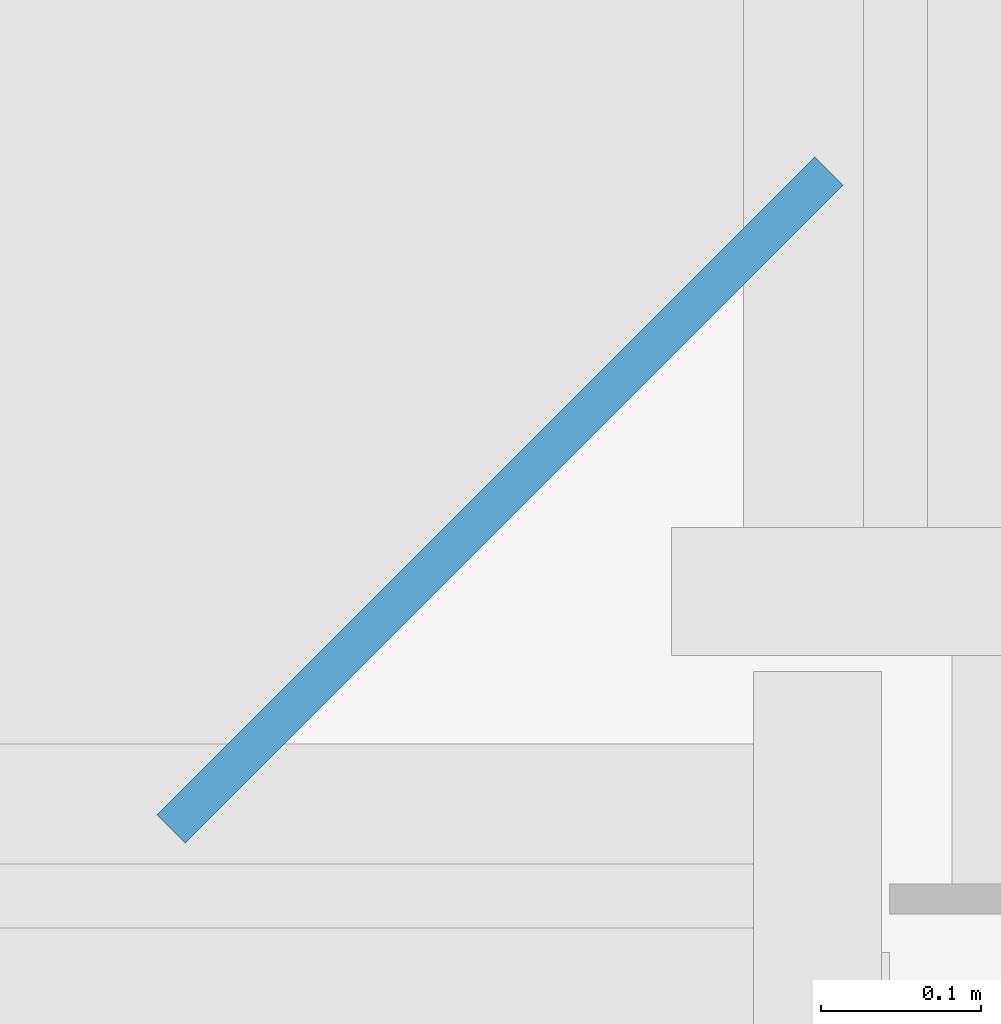
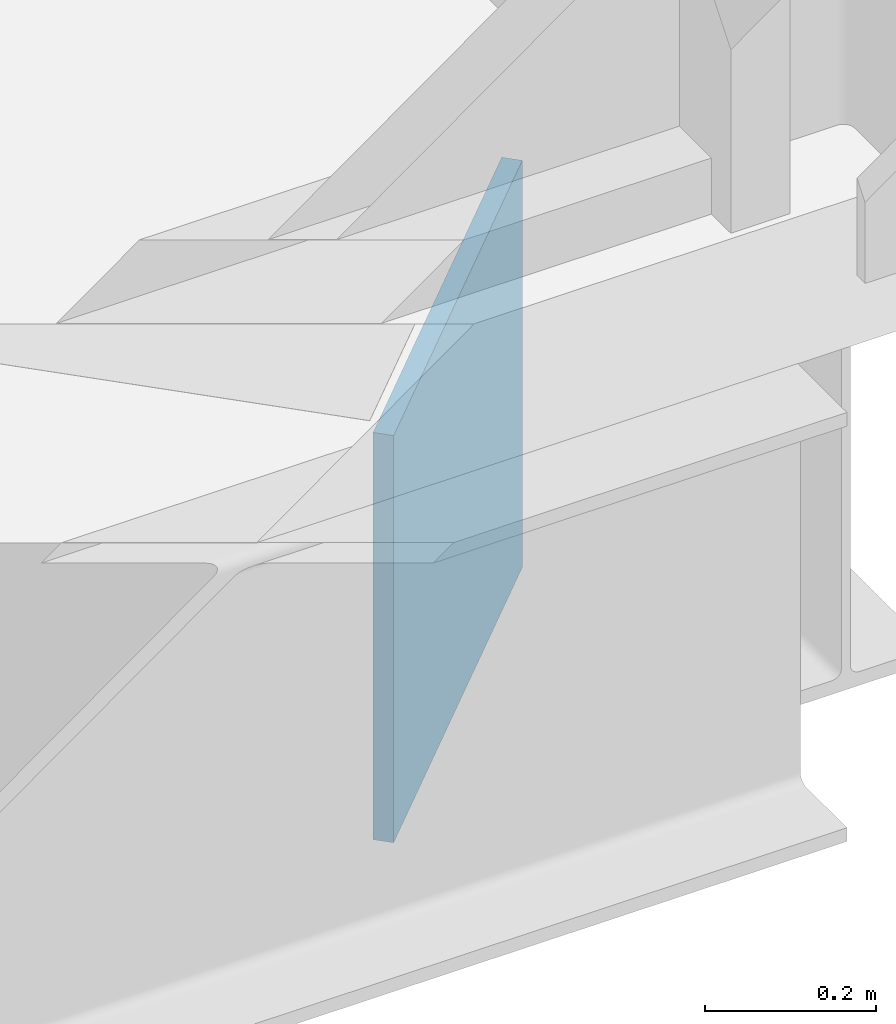
# One storey, part 15 of 21: 1 plate.
"""IFC4 building model written with IfcOpenShell, lengths in metres."""

from ifc_helpers import new_model, si_unit, direction, frame, origin, origin_2d, place, context, subcontext, project, spatial, rectangle, extrude, material, layer, layer_set, type_object, element, save


model = new_model("IFC4")

# Units and contexts
model_context = context("Model", 3, precision=1e-05, world=origin(), true_north=direction((0.0, 1.0)))
body_context = subcontext(model_context, "Body", "Model", "MODEL_VIEW")
ifc_project = project(units=[si_unit("LENGTHUNIT", "METRE"), si_unit("AREAUNIT", "SQUARE_METRE"), si_unit("VOLUMEUNIT", "CUBIC_METRE"), si_unit("PLANEANGLEUNIT", "RADIAN"), si_unit("MASSUNIT", "GRAM", prefix="KILO")], contexts=[model_context])

# Site, building, storey
site_placement = place(None, origin())
site = spatial("IfcSite", under=ifc_project, at=site_placement, CompositionType="ELEMENT")
building_placement = place(site_placement, origin())
building = spatial("IfcBuilding", under=site, at=building_placement, Name="Kopane Lantern Tower", CompositionType="ELEMENT")
storey_placement = place(building_placement, frame((0.0, 0.0, 298.5)))
storey = spatial("IfcBuildingStorey", under=building, at=storey_placement, Name="L76", CompositionType="ELEMENT", Elevation=298.5)

# Plate
ifc_material = material(Name="Steel S355JR", Category="steel")
ifc_layer = layer(ifc_material, 0.02490234375)
ifc_layer_set = layer_set([ifc_layer], Name="STEEL END CAP PLATE PL25")
plate_type = type_object("IfcPlateType", Name="STEEL END CAP PLATE PL25", PredefinedType="USERDEFINED", material=ifc_layer_set)
plate_placement = place(storey_placement, frame((52.2529296875, 20.647216796875, -0.8505859375), z_axis=(0.0, 0.0, 1.0), x_axis=(0.707106781187, -0.707106781187, 0.0)))
element("IfcPlate", 1, at=plate_placement, inside=storey, type_object=plate_type, Name="Corner tie beam end cap plate L76", ObjectType="PLATE", PredefinedType="USERDEFINED", context=body_context, shape_type="SweptSolid", body=[
    extrude(rectangle(XDim=0.02490234375, YDim=0.5810546875, at=origin_2d()), origin(), (0.0, 0.0, 1.0), 0.5810546875),
])

save(model, "model.ifc")
